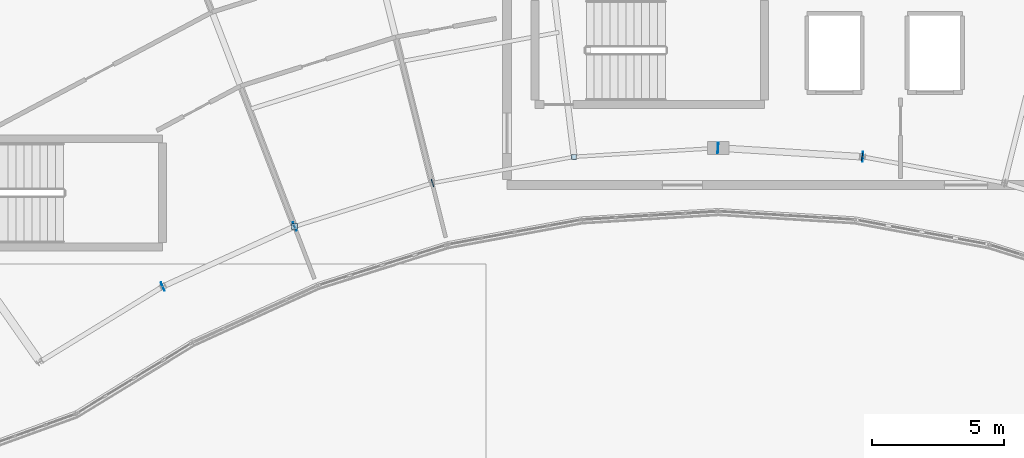
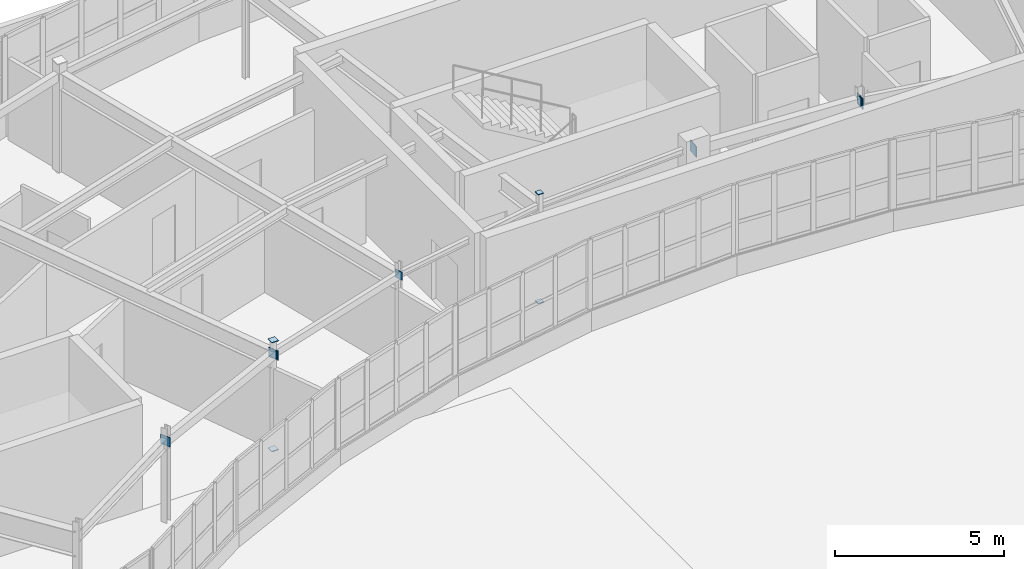
# One storey, part 92 of 128: 11 plates.
"""IFC4 building model written with IfcOpenShell, lengths in metres."""

from ifc_helpers import new_model, si_unit, direction, frame, origin, origin_2d, place, context, subcontext, project, spatial, rectangle, extrude, material, layer, layer_set, type_object, element, save


model = new_model("IFC4")

# Units and contexts
model_context = context("Model", 3, precision=1e-05, world=origin(), true_north=direction((0.0, 1.0)))
body_context = subcontext(model_context, "Body", "Model", "MODEL_VIEW")
ifc_project = project(units=[si_unit("LENGTHUNIT", "METRE"), si_unit("AREAUNIT", "SQUARE_METRE"), si_unit("VOLUMEUNIT", "CUBIC_METRE"), si_unit("PLANEANGLEUNIT", "RADIAN"), si_unit("MASSUNIT", "GRAM", prefix="KILO")], contexts=[model_context])

# Site, building, storey
site_placement = place(None, origin())
site = spatial("IfcSite", under=ifc_project, at=site_placement, CompositionType="ELEMENT")
building_placement = place(site_placement, origin())
building = spatial("IfcBuilding", under=site, at=building_placement, Name="Tarnwether General Hospital", CompositionType="ELEMENT")
storey_placement = place(building_placement, frame((0.0, 0.0, 14.39990234375)))
storey = spatial("IfcBuildingStorey", under=building, at=storey_placement, Name="L03", CompositionType="ELEMENT", Elevation=14.39990234375)

# Plates
ifc_material = material(Name="Steel Grade 350 (350 MPa)", Category="steel")
ifc_layer = layer(ifc_material, 0.02490234375)
ifc_layer_set = layer_set([ifc_layer], Name="Steel Grade 350 (350 MPa)")
plate_type = type_object("IfcPlateType", Name="PT-GUS2", PredefinedType="USERDEFINED", material=ifc_layer_set)
for number, where, z_axis, x_axis, name in (
    (1, (75.945068359375, 104.823974609375, -0.02490234375), (0.0, 0.0, 1.0), (1.0, 0.0, 0.0), "Hollow Section Welded End Cap Plate 0485"),
    (2, (75.945068359375, 104.823974609375, 3.900146484375), (0.0, 0.0, 1.0), (1.0, 0.0, 0.0), "Hollow Section Welded End Cap Plate 0486"),
):
    element("IfcPlate", number, at=place(storey_placement, frame(where, z_axis=z_axis, x_axis=x_axis)), inside=storey, type_object=plate_type, Name=name, ObjectType="GUSSET", PredefinedType="USERDEFINED", context=body_context, shape_type="SweptSolid", body=[
        extrude(rectangle(XDim=0.23388671875, YDim=0.23388671875, at=origin_2d()), origin(), (0.0, 0.0, 1.0), 0.02490234375),
    ])
for number, where, z_axis, x_axis, name in (
    (3, (86.5400390625, 107.466064453125, -0.02490234375), (0.0, 0.0, 1.0), (1.0, 0.0, 0.0), "Hollow Section Welded End Cap Plate 0519"),
    (4, (86.5400390625, 107.466064453125, 3.900146484375), (0.0, 0.0, 1.0), (1.0, 0.0, 0.0), "Hollow Section Welded End Cap Plate 0520"),
):
    element("IfcPlate", number, at=place(storey_placement, frame(where, z_axis=z_axis, x_axis=x_axis)), inside=storey, type_object=plate_type, Name=name, ObjectType="GUSSET", PredefinedType="USERDEFINED", context=body_context, shape_type="SweptSolid", body=[
        extrude(rectangle(XDim=0.18994140625, YDim=0.18994140625, at=origin_2d()), origin(), (0.0, 0.0, 1.0), 0.02490234375),
    ])
for number, where, z_axis, x_axis, name in (
    (5, (70.95654296875, 102.55078125, 3.240234375), (0.0, 0.0, 1.0), (0.9099685085, 0.414677360773, 0.0), "Hollow Section Welded End Cap Plate 1005"),
    (6, (75.956298828125, 104.8291015625, 3.240234375), (0.0, 0.0, 1.0), (0.9099685085, 0.414677360773, 0.0), "Hollow Section Welded End Cap Plate 1006"),
):
    element("IfcPlate", number, at=place(storey_placement, frame(where, z_axis=z_axis, x_axis=x_axis)), inside=storey, type_object=plate_type, Name=name, ObjectType="GUSSET", PredefinedType="USERDEFINED", context=body_context, shape_type="SweptSolid", body=[
        extrude(rectangle(XDim=0.02490234375, YDim=0.340087890625, at=origin_2d()), origin(), (0.0, 0.0, 1.0), 0.340087890625),
    ])
for number, where, z_axis, x_axis, name in (
    (7, (75.93310546875, 104.8203125, 3.2900390625), (0.0, 0.0, 1.0), (0.953711702297, 0.300722444959, 0.0), "Hollow Section Welded End Cap Plate 1009"),
    (8, (81.173828125, 106.472900390625, 3.2900390625), (0.0, 0.0, 1.0), (0.953711702297, 0.300722444959, 0.0), "Hollow Section Welded End Cap Plate 1010"),
):
    element("IfcPlate", number, at=place(storey_placement, frame(where, z_axis=z_axis, x_axis=x_axis)), inside=storey, type_object=plate_type, Name=name, ObjectType="GUSSET", PredefinedType="USERDEFINED", context=body_context, shape_type="SweptSolid", body=[
        extrude(rectangle(XDim=0.02490234375, YDim=0.2900390625, at=origin_2d()), origin(), (0.0, 0.0, 1.0), 0.2900390625),
    ])
for number, where, z_axis, x_axis, name in (
    (9, (91.987548828125, 107.80078125, 3.18994140625), (0.0, 0.0, 1.0), (0.998133732772, -0.061065960264, 0.0), "Hollow Section Welded End Cap Plate 1013"),
    (10, (97.472412109375, 107.465087890625, 3.18994140625), (0.0, 0.0, 1.0), (0.998133732772, -0.061065960264, 0.0), "Hollow Section Welded End Cap Plate 1014"),
):
    element("IfcPlate", number, at=place(storey_placement, frame(where, z_axis=z_axis, x_axis=x_axis)), inside=storey, type_object=plate_type, Name=name, ObjectType="GUSSET", PredefinedType="USERDEFINED", context=body_context, shape_type="SweptSolid", body=[
        extrude(rectangle(XDim=0.02490234375, YDim=0.389892578125, at=origin_2d()), origin(), (0.0, 0.0, 1.0), 0.389892578125),
    ])
plate_placement = place(storey_placement, frame((97.44775390625, 107.46826171875, 3.2900390625), z_axis=(0.0, 0.0, 1.0), x_axis=(0.983245364386, -0.182287008349, 0.0)))
element("IfcPlate", 11, at=plate_placement, inside=storey, type_object=plate_type, Name="Hollow Section Welded End Cap Plate 1017", ObjectType="GUSSET", PredefinedType="USERDEFINED", context=body_context, shape_type="SweptSolid", body=[
    extrude(rectangle(XDim=0.02490234375, YDim=0.2900390625, at=origin_2d()), origin(), (0.0, 0.0, 1.0), 0.2900390625),
])

save(model, "model.ifc")
